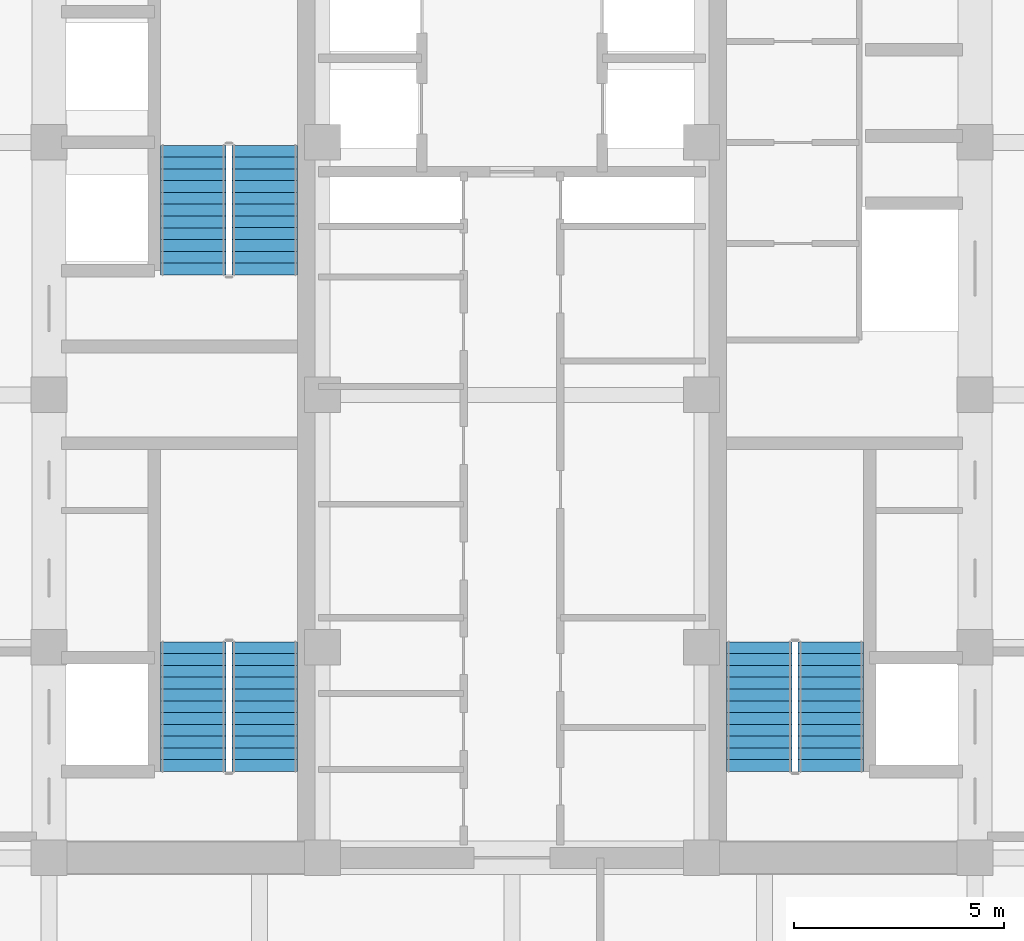
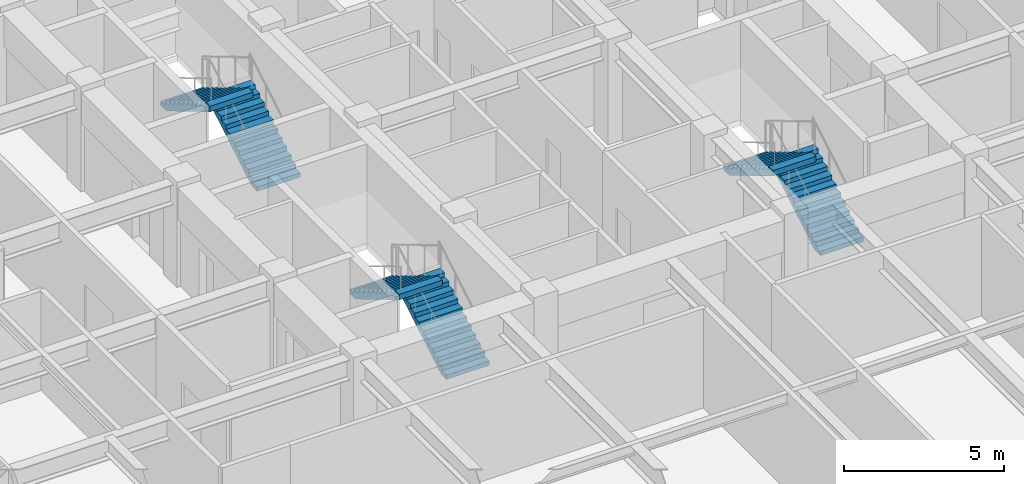
# One storey, part 24 of 25: 6 stair flights, 3 elements without a shape of their own.
"""IFC4 building model written with IfcOpenShell, lengths in metres."""

from ifc_helpers import new_model, si_unit, direction, frame, origin, place, context, subcontext, project, spatial, polyline, outline, extrude, source, transform, mapped, material, type_object, element, aggregate, save


model = new_model("IFC4")

# Units and contexts
model_context = context("Model", 3, precision=1e-05, world=origin(), true_north=direction((0.0, 1.0)))
body_context = subcontext(model_context, "Body", "Model", "MODEL_VIEW")
ifc_project = project(units=[si_unit("LENGTHUNIT", "METRE"), si_unit("AREAUNIT", "SQUARE_METRE"), si_unit("VOLUMEUNIT", "CUBIC_METRE"), si_unit("PLANEANGLEUNIT", "RADIAN"), si_unit("MASSUNIT", "GRAM", prefix="KILO")], contexts=[model_context])

# Site, building, storey
site_placement = place(None, origin())
site = spatial("IfcSite", under=ifc_project, at=site_placement, CompositionType="ELEMENT")
building_placement = place(site_placement, origin())
building = spatial("IfcBuilding", under=site, at=building_placement, Name="Khorayat Bourse Tower", CompositionType="ELEMENT")
storey_placement = place(building_placement, frame((0.0, 0.0, 195.10009765625)))
storey = spatial("IfcBuildingStorey", under=building, at=storey_placement, Name="L45", CompositionType="ELEMENT", Elevation=195.10009765625)

# Stair, stair flights
ifc_material = material(Name="Concrete C40/50", Category="concrete")
stair_type = type_object("IfcStairType", Name="STR-CORE-1550", PredefinedType="HALF_TURN_STAIR", material=ifc_material)
stair_1_placement = place(storey_placement, origin())
stair_1 = element("IfcStair", 1, at=stair_1_placement, inside=storey, type_object=stair_type, Name="L45 Exit Stair ST-1", PredefinedType="HALF_TURN_STAIR")
stair_flight_type = type_object("IfcStairFlightType", Name="FLT-CORE-1550", PredefinedType="STRAIGHT", material=ifc_material)
shared_shape = source(origin(), body_context, "Body", "SweptSolid", [
    extrude(outline(polyline([(0.0, 0.0), (0.0, 0.166748046875), (0.280029296875, 0.166748046875), (0.280029296875, 0.333251953125), (0.56005859375, 0.333251953125), (0.56005859375, 0.5), (0.840087890625, 0.5), (0.840087890625, 0.666748046875), (1.1201171875, 0.666748046875), (1.1201171875, 0.833251953125), (1.39990234375, 0.833251953125), (1.39990234375, 1.0), (1.679931640625, 1.0), (1.679931640625, 1.166748046875), (1.9599609375, 1.166748046875), (1.9599609375, 1.333251953125), (2.239990234375, 1.333251953125), (2.239990234375, 1.5), (2.52001953125, 1.5), (2.52001953125, 1.666748046875), (2.800048828125, 1.666748046875), (2.800048828125, 1.833251953125), (3.080078125, 1.833251953125), (3.080078125, 2.0), (3.080078125, 1.6240234375), (0.351806640625, 0.0), (0.0, 0.0)])), frame((0.0, 0.77490234375, 0.0), z_axis=(0.0, -1.0, 0.0), x_axis=(1.0, 0.0, 0.0)), (0.0, 0.0, 1.0), 1.550048828125),
])
stair_flight_1_placement = place(storey_placement, frame((-5.875, -8.949951171875, 0.0), z_axis=(0.0, 0.0, 1.0), x_axis=(0.0, 1.0, 0.0)))
stair_flight_1 = element("IfcStairFlight", 2, at=stair_flight_1_placement, type_object=stair_flight_type, Name="ST-1 flight 1", NumberOfRisers=12, NumberOfTreads=11, PredefinedType="STRAIGHT", RiserHeight=0.166666667, TreadLength=0.28, context=body_context, shape_type="MappedRepresentation", body=[
    mapped(shared_shape, transform((0.0, 0.0, 0.0), scale=1.0)),
])
stair_flight_2_placement = place(storey_placement, frame((-7.574951171875, -5.8701171875, 2.0), z_axis=(0.0, 0.0, 1.0), x_axis=(0.0, -1.0, 0.0)))
stair_flight_2 = element("IfcStairFlight", 3, at=stair_flight_2_placement, type_object=stair_flight_type, Name="ST-1 flight 2", NumberOfRisers=12, NumberOfTreads=11, PredefinedType="STRAIGHT", RiserHeight=0.166666667, TreadLength=0.28, context=body_context, shape_type="MappedRepresentation", body=[
    mapped(shared_shape, transform((0.0, 0.0, 0.0), scale=1.0)),
])
aggregate(stair_1, [stair_flight_1, stair_flight_2])

stair_2_placement = place(storey_placement, origin())
stair_2 = element("IfcStair", 4, at=stair_2_placement, inside=storey, type_object=stair_type, Name="L45 Exit Stair ST-2", PredefinedType="HALF_TURN_STAIR")
stair_flight_3_placement = place(storey_placement, frame((-5.875, 2.85009765625, 0.0), z_axis=(0.0, 0.0, 1.0), x_axis=(0.0, 1.0, 0.0)))
stair_flight_3 = element("IfcStairFlight", 5, at=stair_flight_3_placement, type_object=stair_flight_type, Name="ST-2 flight 1", NumberOfRisers=12, NumberOfTreads=11, PredefinedType="STRAIGHT", RiserHeight=0.166666667, TreadLength=0.28, context=body_context, shape_type="MappedRepresentation", body=[
    mapped(shared_shape, transform((0.0, 0.0, 0.0), scale=1.0)),
])
stair_flight_4_placement = place(storey_placement, frame((-7.574951171875, 5.929931640625, 2.0), z_axis=(0.0, 0.0, 1.0), x_axis=(0.0, -1.0, 0.0)))
stair_flight_4 = element("IfcStairFlight", 6, at=stair_flight_4_placement, type_object=stair_flight_type, Name="ST-2 flight 2", NumberOfRisers=12, NumberOfTreads=11, PredefinedType="STRAIGHT", RiserHeight=0.166666667, TreadLength=0.28, context=body_context, shape_type="MappedRepresentation", body=[
    mapped(shared_shape, transform((0.0, 0.0, 0.0), scale=1.0)),
])
aggregate(stair_2, [stair_flight_3, stair_flight_4])

stair_3_placement = place(storey_placement, origin())
stair_3 = element("IfcStair", 7, at=stair_3_placement, inside=storey, type_object=stair_type, Name="L45 Exit Stair ST-3", PredefinedType="HALF_TURN_STAIR")
stair_flight_5_placement = place(storey_placement, frame((7.574951171875, -8.949951171875, 0.0), z_axis=(0.0, 0.0, 1.0), x_axis=(0.0, 1.0, 0.0)))
stair_flight_5 = element("IfcStairFlight", 8, at=stair_flight_5_placement, type_object=stair_flight_type, Name="ST-3 flight 1", NumberOfRisers=12, NumberOfTreads=11, PredefinedType="STRAIGHT", RiserHeight=0.166666667, TreadLength=0.28, context=body_context, shape_type="MappedRepresentation", body=[
    mapped(shared_shape, transform((0.0, 0.0, 0.0), scale=1.0)),
])
stair_flight_6_placement = place(storey_placement, frame((5.875, -5.8701171875, 2.0), z_axis=(0.0, 0.0, 1.0), x_axis=(0.0, -1.0, 0.0)))
stair_flight_6 = element("IfcStairFlight", 9, at=stair_flight_6_placement, type_object=stair_flight_type, Name="ST-3 flight 2", NumberOfRisers=12, NumberOfTreads=11, PredefinedType="STRAIGHT", RiserHeight=0.166666667, TreadLength=0.28, context=body_context, shape_type="MappedRepresentation", body=[
    mapped(shared_shape, transform((0.0, 0.0, 0.0), scale=1.0)),
])
aggregate(stair_3, [stair_flight_5, stair_flight_6])

save(model, "model.ifc")
